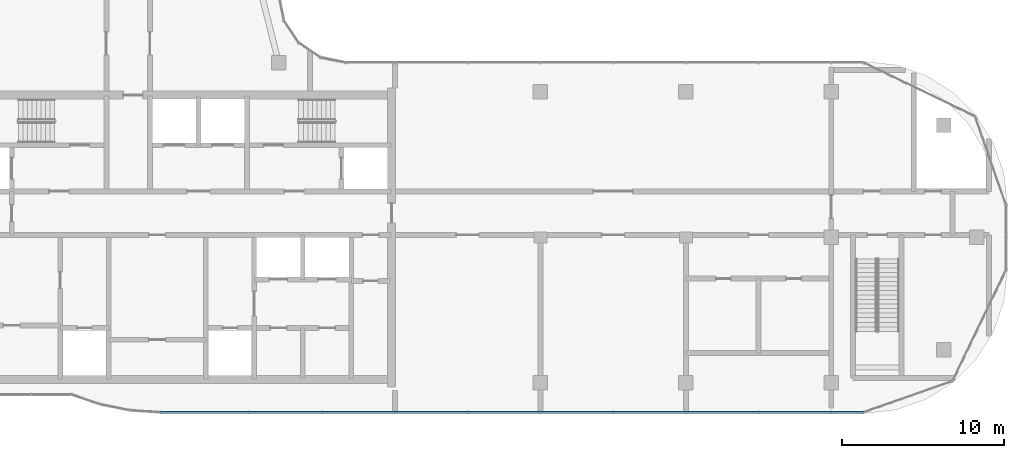
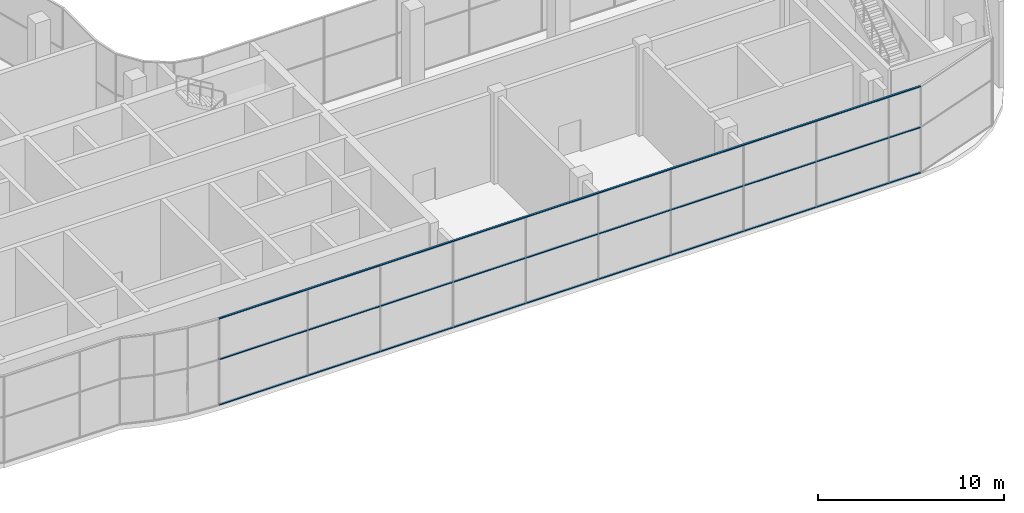
# One storey, part 6 of 19: 3 members, 1 element without a shape of its own.
"""IFC4 building model written with IfcOpenShell, lengths in metres."""

from ifc_helpers import new_model, si_unit, direction, frame, origin, origin_2d, place, context, subcontext, project, spatial, rectangle, extrude, material, material_profile, profile_set, type_object, element, aggregate, save


model = new_model("IFC4")

# Units and contexts
model_context = context("Model", 3, precision=1e-05, world=origin(), true_north=direction((0.0, 1.0)))
body_context = subcontext(model_context, "Body", "Model", "MODEL_VIEW")
ifc_project = project(units=[si_unit("LENGTHUNIT", "METRE"), si_unit("AREAUNIT", "SQUARE_METRE"), si_unit("VOLUMEUNIT", "CUBIC_METRE"), si_unit("PLANEANGLEUNIT", "RADIAN"), si_unit("MASSUNIT", "GRAM", prefix="KILO")], contexts=[model_context])

# Site, building, storey
site_placement = place(None, origin())
site = spatial("IfcSite", under=ifc_project, at=site_placement, CompositionType="ELEMENT")
building_placement = place(site_placement, origin())
building = spatial("IfcBuilding", under=site, at=building_placement, Name="Ogive Portal Towers", CompositionType="ELEMENT")
storey_placement = place(building_placement, frame((0.0, 0.0, 254.89990234375)))
storey = spatial("IfcBuildingStorey", under=building, at=storey_placement, Name="L63", CompositionType="ELEMENT", Elevation=254.89990234375)

# Curtain wall, members
ifc_material_1 = material(Name="Glass, clear low-iron insulated glazing", Category="glass")
curtain_wall_type = type_object("IfcCurtainWallType", Name="CW OBSERVATION WALL", PredefinedType="NOTDEFINED", material=ifc_material_1)
curtain_wall_placement = place(storey_placement, origin())
curtain_wall = element("IfcCurtainWall", 1, at=curtain_wall_placement, inside=storey, type_object=curtain_wall_type, Name="A:L63:f07:cw0", PredefinedType="NOTDEFINED")
ifc_material_2 = material(Name="Aluminium 6063 anodised", Category="aluminium")
ifc_material_profile = material_profile(ifc_material_2, rectangle(XDim=0.1201171875, YDim=0.06005859375, at=origin_2d()), Name="AL 120x60")
ifc_profile_set = profile_set([ifc_material_profile], Name="Aluminium 6063 anodised")
member_type = type_object("IfcMemberType", Name="CW TRANSOM 60x120", PredefinedType="USERDEFINED", material=ifc_profile_set)
member_1_placement = place(storey_placement, frame((44.002685546875, 19.679931640625, 0.030029296875), z_axis=(1.0, 0.0, 0.0), x_axis=(0.0, 1.0, 0.0)))
member_1 = element("IfcMember", 2, at=member_1_placement, type_object=member_type, Name="transom", ObjectType="TRANSOM", PredefinedType="USERDEFINED", context=body_context, shape_type="SweptSolid", body=[
    extrude(rectangle(XDim=0.1201171875, YDim=0.06005859375, at=origin_2d()), origin(), (0.0, 0.0, 1.0), 43.483642578125),
])
member_2_placement = place(storey_placement, frame((44.002685546875, 19.679931640625, 3.0), z_axis=(1.0, 0.0, 0.0), x_axis=(0.0, 1.0, 0.0)))
member_2 = element("IfcMember", 3, at=member_2_placement, type_object=member_type, Name="transom", ObjectType="TRANSOM", PredefinedType="USERDEFINED", context=body_context, shape_type="SweptSolid", body=[
    extrude(rectangle(XDim=0.1201171875, YDim=0.06005859375, at=origin_2d()), origin(), (0.0, 0.0, 1.0), 43.483642578125),
])
member_3_placement = place(storey_placement, frame((44.002685546875, 19.679931640625, 5.670166015625), z_axis=(1.0, 0.0, 0.0), x_axis=(0.0, 1.0, 0.0)))
member_3 = element("IfcMember", 4, at=member_3_placement, type_object=member_type, Name="transom", ObjectType="TRANSOM", PredefinedType="USERDEFINED", context=body_context, shape_type="SweptSolid", body=[
    extrude(rectangle(XDim=0.1201171875, YDim=0.06005859375, at=origin_2d()), origin(), (0.0, 0.0, 1.0), 43.483642578125),
])
aggregate(curtain_wall, [member_1, member_2, member_3])

save(model, "model.ifc")
